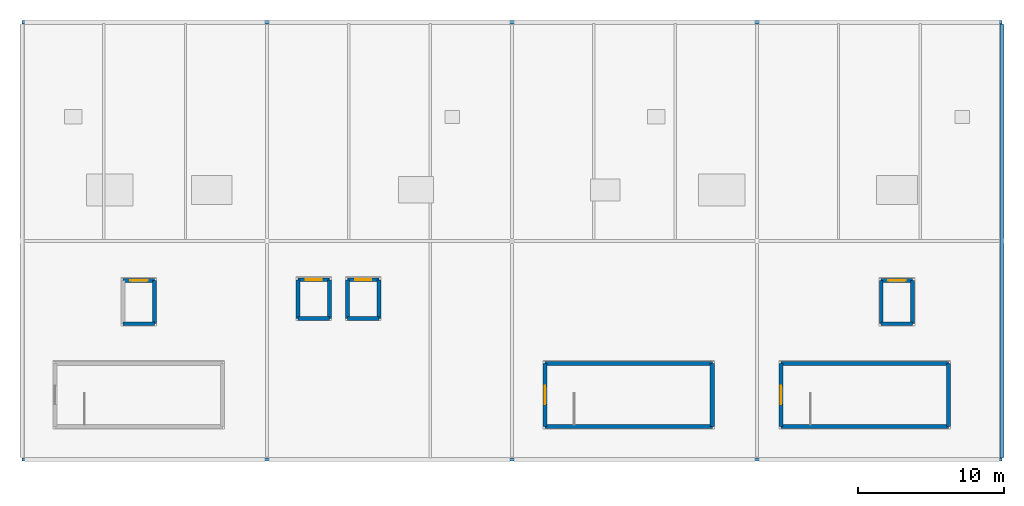
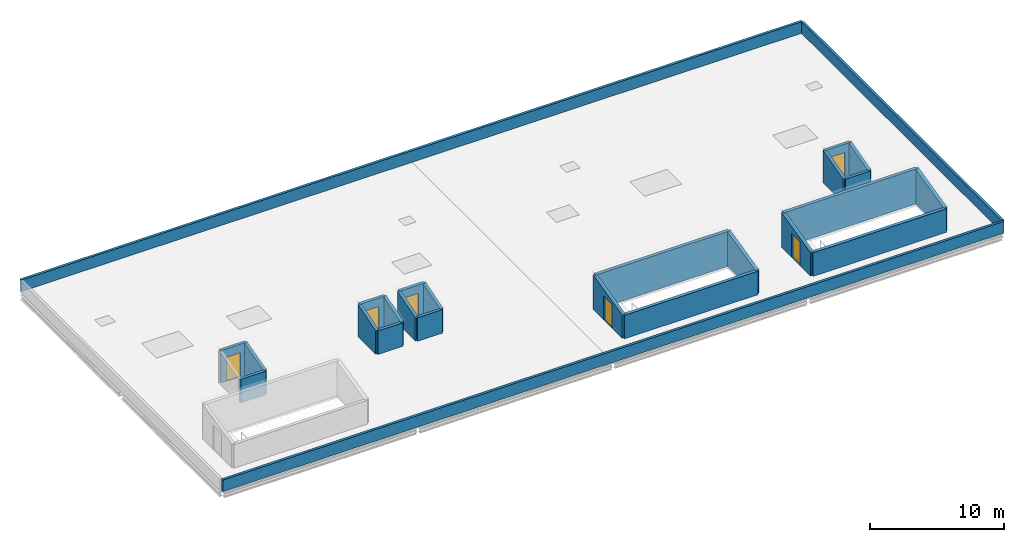
# One storey, part 2 of 3: 26 walls, 6 doors, 6 openings.
"""IFC4 building model written with IfcOpenShell, lengths in metres."""

from ifc_helpers import new_model, si_unit, direction, frame, frame_2d, origin, place, context, subcontext, project, spatial, polyline, rectangle, outline, extrude, material, layer, layer_set, type_object, element, fill, save


model = new_model("IFC4")

# Units and contexts
model_context = context("Model", 3, precision=1e-05, world=origin(), true_north=direction((0.0, 1.0)))
body_context = subcontext(model_context, "Body", "Model", "MODEL_VIEW")
ifc_project = project(units=[si_unit("LENGTHUNIT", "METRE"), si_unit("AREAUNIT", "SQUARE_METRE"), si_unit("VOLUMEUNIT", "CUBIC_METRE"), si_unit("PLANEANGLEUNIT", "RADIAN"), si_unit("MASSUNIT", "GRAM", prefix="KILO")], contexts=[model_context])

# Site, building, storey
site_placement = place(None, origin())
site = spatial("IfcSite", under=ifc_project, at=site_placement, CompositionType="ELEMENT")
building_placement = place(site_placement, origin())
building = spatial("IfcBuilding", under=site, at=building_placement, Name="Kimbaza Rail Terminus", CompositionType="ELEMENT")
storey_placement = place(building_placement, frame((0.0, 0.0, 28.800048828125)))
storey = spatial("IfcBuildingStorey", under=building, at=storey_placement, Name="Roof", CompositionType="ELEMENT", Elevation=28.800048828125)

# Walls
ifc_material_1 = material(Name="Precast concrete C40/50", Category="concrete")
ifc_layer_1 = layer(ifc_material_1, 0.219970703125)
ifc_layer_set_1 = layer_set([ifc_layer_1], Name="Precast concrete C40/50")
wall_type_1 = type_object("IfcWallType", Name="ARC-WL-PAR220", PredefinedType="PARAPET", material=ifc_layer_set_1)
wall_1_placement = place(storey_placement, frame((72.0, 103.0, 0.0), z_axis=(0.0, 0.0, 1.0), x_axis=(1.0, 0.0, 0.0)))
element("IfcWall", 1, at=wall_1_placement, inside=storey, type_object=wall_type_1, Name="Operations Roof Parapet 1", PredefinedType="PARAPET", context=body_context, shape_type="SweptSolid", body=[
    extrude(rectangle(XDim=67.199951171875, YDim=0.219970703125, at=frame_2d((33.60009765625, 0.0))), origin(), (0.0, 0.0, 1.0), 1.050048828125),
])
wall_2_placement = place(storey_placement, frame((139.199951171875, 103.110107421875, 0.0), z_axis=(0.0, 0.0, 1.0), x_axis=(0.0, 1.0, 0.0)))
element("IfcWall", 2, at=wall_2_placement, inside=storey, type_object=wall_type_1, Name="Operations Roof Parapet 2", PredefinedType="PARAPET", context=body_context, shape_type="SweptSolid", body=[
    extrude(rectangle(XDim=29.77978515625, YDim=0.219970703125, at=frame_2d((14.889892578125, 0.0))), origin(), (0.0, 0.0, 1.0), 1.050048828125),
])
wall_3_placement = place(storey_placement, frame((139.199951171875, 133.0, 0.0), z_axis=(0.0, 0.0, 1.0), x_axis=(-1.0, 0.0, 0.0)))
element("IfcWall", 3, at=wall_3_placement, inside=storey, type_object=wall_type_1, Name="Operations Roof Parapet 3", PredefinedType="PARAPET", context=body_context, shape_type="SweptSolid", body=[
    extrude(rectangle(XDim=67.199951171875, YDim=0.219970703125, at=frame_2d((33.60009765625, 0.0))), origin(), (0.0, 0.0, 1.0), 1.050048828125),
])
ifc_material_2 = material(Name="Concrete C40/50", Category="concrete")
ifc_layer_2 = layer(ifc_material_2, 0.2548828125)
ifc_layer_set_2 = layer_set([ifc_layer_2], Name="Concrete C40/50")
wall_type_2 = type_object("IfcWallType", Name="STR-WL-CREX255", PredefinedType="SHEAR", material=ifc_layer_set_2)
wall_4_placement = place(storey_placement, frame((90.919921875, 112.669921875, 0.0), z_axis=(0.0, 0.0, 1.0), x_axis=(1.0, 0.0, 0.0)))
element("IfcWall", 4, at=wall_4_placement, inside=storey, type_object=wall_type_2, Name="Lift Shaft Wall LP-08 Roof-1", PredefinedType="SHEAR", context=body_context, shape_type="SweptSolid", body=[
    extrude(rectangle(XDim=2.16015625, YDim=0.2548828125, at=frame_2d((1.080078125, 0.0))), origin(), (0.0, 0.0, 1.0), 2.140625),
])
wall_5_placement = place(storey_placement, frame((93.080078125, 112.669921875, 0.0), z_axis=(0.0, 0.0, 1.0), x_axis=(0.0, 1.0, 0.0)))
element("IfcWall", 5, at=wall_5_placement, inside=storey, type_object=wall_type_2, Name="Lift Shaft Wall LP-08 Roof-2", PredefinedType="SHEAR", context=body_context, shape_type="SweptSolid", body=[
    extrude(outline(polyline([(0.0, 0.0), (2.66015625, 0.0), (2.659912109375, 2.949462890625), (0.0, 2.140625), (0.0, 0.0)])), frame((0.0, 0.12744140625, 0.0), z_axis=(0.0, -1.0, 0.0), x_axis=(1.0, 0.0, 0.0)), (0.0, 0.0, 1.0), 0.2548828125),
])

# Wall, opening, door
wall_6_placement = place(storey_placement, frame((93.080078125, 115.330078125, 0.0), z_axis=(0.0, 0.0, 1.0), x_axis=(-1.0, 0.0, 0.0)))
wall_6 = element("IfcWall", 6, at=wall_6_placement, inside=storey, type_object=wall_type_2, Name="Lift Shaft Wall LP-08 Roof-3", PredefinedType="SHEAR", context=body_context, shape_type="SweptSolid", body=[
    extrude(rectangle(XDim=2.16015625, YDim=0.2548828125, at=frame_2d((1.080078125, 0.0))), origin(), (0.0, 0.0, 1.0), 2.949462890625),
])
opening_1_placement = place(wall_6_placement, frame((0.530029296875, 0.0, 0.0)))
opening_1 = element("IfcOpeningElement", 7, at=opening_1_placement, cuts=wall_6, Name="Opening LD-01", PredefinedType="OPENING", context=body_context, shape_type="SweptSolid", body=[
    extrude(rectangle(XDim=1.10009765625, YDim=2.199951171875, at=frame_2d((0.550048828125, 1.10009765625))), frame((0.0, 0.137451171875, 0.0), z_axis=(0.0, -1.0, 0.0), x_axis=(1.0, 0.0, 0.0)), (0.0, 0.0, 1.0), 0.27490234375),
])
ifc_material_3 = material(Name="Brushed stainless steel sliding landing door", Category="steel")
door_type_1 = type_object("IfcDoorType", Name="ARC-DR-LD110", OperationType="NOTDEFINED", PredefinedType="DOOR", material=ifc_material_3)
door_1_placement = place(opening_1_placement, origin())
door_1 = element("IfcDoor", 8, at=door_1_placement, inside=storey, type_object=door_type_1, Name="LDR-LP-08-Roof", OperationType="SLIDING_TO_RIGHT", OverallHeight=2.199951171875, OverallWidth=1.10009765625, PredefinedType="DOOR", context=body_context, shape_type="SweptSolid", body=[
    extrude(rectangle(XDim=1.10009765625, YDim=2.199951171875, at=frame_2d((0.550048828125, 1.10009765625))), frame((0.0, 0.02490234375, 0.0), z_axis=(0.0, -1.0, 0.0), x_axis=(1.0, 0.0, 0.0)), (0.0, 0.0, 1.0), 0.050048828125),
])
fill(opening_1, door_1)

# Walls
wall_7_placement = place(storey_placement, frame((90.919921875, 115.330078125, 0.0), z_axis=(0.0, 0.0, 1.0), x_axis=(0.0, -1.0, 0.0)))
element("IfcWall", 9, at=wall_7_placement, inside=storey, type_object=wall_type_2, Name="Lift Shaft Wall LP-08 Roof-4", PredefinedType="SHEAR", context=body_context, shape_type="SweptSolid", body=[
    extrude(outline(polyline([(0.0, 0.0), (2.66015625, 0.0), (2.659912109375, 2.140625), (0.0, 2.949462890625), (0.0, 0.0)])), frame((0.0, 0.12744140625, 0.0), z_axis=(0.0, -1.0, 0.0), x_axis=(1.0, 0.0, 0.0)), (0.0, 0.0, 1.0), 0.2548828125),
])
wall_8_placement = place(storey_placement, frame((94.320068359375, 112.669921875, 0.0), z_axis=(0.0, 0.0, 1.0), x_axis=(1.0, 0.0, 0.0)))
element("IfcWall", 10, at=wall_8_placement, inside=storey, type_object=wall_type_2, Name="Lift Shaft Wall LP-09 Roof-1", PredefinedType="SHEAR", context=body_context, shape_type="SweptSolid", body=[
    extrude(rectangle(XDim=2.159912109375, YDim=0.2548828125, at=frame_2d((1.080078125, 0.0))), origin(), (0.0, 0.0, 1.0), 2.140625),
])
wall_9_placement = place(storey_placement, frame((96.47998046875, 112.669921875, 0.0), z_axis=(0.0, 0.0, 1.0), x_axis=(0.0, 1.0, 0.0)))
element("IfcWall", 11, at=wall_9_placement, inside=storey, type_object=wall_type_2, Name="Lift Shaft Wall LP-09 Roof-2", PredefinedType="SHEAR", context=body_context, shape_type="SweptSolid", body=[
    extrude(outline(polyline([(0.0, 0.0), (2.66015625, 0.0), (2.659912109375, 2.949462890625), (0.0, 2.140625), (0.0, 0.0)])), frame((0.0, 0.12744140625, 0.0), z_axis=(0.0, -1.0, 0.0), x_axis=(1.0, 0.0, 0.0)), (0.0, 0.0, 1.0), 0.2548828125),
])

# Wall, opening, door
wall_10_placement = place(storey_placement, frame((96.47998046875, 115.330078125, 0.0), z_axis=(0.0, 0.0, 1.0), x_axis=(-1.0, 0.0, 0.0)))
wall_10 = element("IfcWall", 12, at=wall_10_placement, inside=storey, type_object=wall_type_2, Name="Lift Shaft Wall LP-09 Roof-3", PredefinedType="SHEAR", context=body_context, shape_type="SweptSolid", body=[
    extrude(rectangle(XDim=2.159912109375, YDim=0.2548828125, at=frame_2d((1.080078125, 0.0))), origin(), (0.0, 0.0, 1.0), 2.949462890625),
])
opening_2_placement = place(wall_10_placement, frame((0.530029296875, 0.0, 0.0)))
opening_2 = element("IfcOpeningElement", 13, at=opening_2_placement, cuts=wall_10, Name="Opening LD-01", PredefinedType="OPENING", context=body_context, shape_type="SweptSolid", body=[
    extrude(rectangle(XDim=1.10009765625, YDim=2.199951171875, at=frame_2d((0.550048828125, 1.10009765625))), frame((0.0, 0.137451171875, 0.0), z_axis=(0.0, -1.0, 0.0), x_axis=(1.0, 0.0, 0.0)), (0.0, 0.0, 1.0), 0.27490234375),
])
door_2_placement = place(opening_2_placement, origin())
door_2 = element("IfcDoor", 14, at=door_2_placement, inside=storey, type_object=door_type_1, Name="LDR-LP-09-Roof", OperationType="SLIDING_TO_RIGHT", OverallHeight=2.199951171875, OverallWidth=1.10009765625, PredefinedType="DOOR", context=body_context, shape_type="SweptSolid", body=[
    extrude(rectangle(XDim=1.10009765625, YDim=2.199951171875, at=frame_2d((0.550048828125, 1.10009765625))), frame((0.0, 0.02490234375, 0.0), z_axis=(0.0, -1.0, 0.0), x_axis=(1.0, 0.0, 0.0)), (0.0, 0.0, 1.0), 0.050048828125),
])
fill(opening_2, door_2)

# Walls
wall_11_placement = place(storey_placement, frame((94.320068359375, 115.330078125, 0.0), z_axis=(0.0, 0.0, 1.0), x_axis=(0.0, -1.0, 0.0)))
element("IfcWall", 15, at=wall_11_placement, inside=storey, type_object=wall_type_2, Name="Lift Shaft Wall LP-09 Roof-4", PredefinedType="SHEAR", context=body_context, shape_type="SweptSolid", body=[
    extrude(outline(polyline([(0.0, 0.0), (2.66015625, 0.0), (2.659912109375, 2.140625), (0.0, 2.949462890625), (0.0, 0.0)])), frame((0.0, 0.12744140625, 0.0), z_axis=(0.0, -1.0, 0.0), x_axis=(1.0, 0.0, 0.0)), (0.0, 0.0, 1.0), 0.2548828125),
])
wall_12_placement = place(storey_placement, frame((78.919921875, 112.320068359375, 0.0), z_axis=(0.0, 0.0, 1.0), x_axis=(1.0, 0.0, 0.0)))
element("IfcWall", 16, at=wall_12_placement, inside=storey, type_object=wall_type_2, Name="Lift Shaft Wall LF-01 Roof-1", PredefinedType="SHEAR", context=body_context, shape_type="SweptSolid", body=[
    extrude(rectangle(XDim=2.16015625, YDim=0.2548828125, at=frame_2d((1.080078125, 0.0))), origin(), (0.0, 0.0, 1.0), 2.141357421875),
])
wall_13_placement = place(storey_placement, frame((81.080078125, 112.320068359375, 0.0), z_axis=(0.0, 0.0, 1.0), x_axis=(0.0, 1.0, 0.0)))
element("IfcWall", 17, at=wall_13_placement, inside=storey, type_object=wall_type_2, Name="Lift Shaft Wall LF-01 Roof-2", PredefinedType="SHEAR", context=body_context, shape_type="SweptSolid", body=[
    extrude(outline(polyline([(0.0, 0.0), (2.9599609375, 0.0), (2.9599609375, 2.958740234375), (0.0, 2.141357421875), (0.0, 0.0)])), frame((0.0, 0.12744140625, 0.0), z_axis=(0.0, -1.0, 0.0), x_axis=(1.0, 0.0, 0.0)), (0.0, 0.0, 1.0), 0.2548828125),
])

# Wall, opening, door
wall_14_placement = place(storey_placement, frame((81.080078125, 115.280029296875, 0.0), z_axis=(0.0, 0.0, 1.0), x_axis=(-1.0, 0.0, 0.0)))
wall_14 = element("IfcWall", 18, at=wall_14_placement, inside=storey, type_object=wall_type_2, Name="Lift Shaft Wall LF-01 Roof-3", PredefinedType="SHEAR", context=body_context, shape_type="SweptSolid", body=[
    extrude(rectangle(XDim=2.16015625, YDim=0.2548828125, at=frame_2d((1.080078125, 0.0))), origin(), (0.0, 0.0, 1.0), 2.958740234375),
])
opening_3_placement = place(wall_14_placement, frame((0.47998046875, 0.0, 0.0)))
opening_3 = element("IfcOpeningElement", 19, at=opening_3_placement, cuts=wall_14, Name="Opening LD-02", PredefinedType="OPENING", context=body_context, shape_type="SweptSolid", body=[
    extrude(rectangle(XDim=1.199951171875, YDim=2.199951171875, at=frame_2d((0.60009765625, 1.10009765625))), frame((0.0, 0.137451171875, 0.0), z_axis=(0.0, -1.0, 0.0), x_axis=(1.0, 0.0, 0.0)), (0.0, 0.0, 1.0), 0.27490234375),
])
ifc_material_4 = material(Name="Firefighting stainless steel landing door", Category="steel")
door_type_2 = type_object("IfcDoorType", Name="ARC-DR-LD120", OperationType="NOTDEFINED", PredefinedType="DOOR", material=ifc_material_4)
door_3_placement = place(opening_3_placement, origin())
door_3 = element("IfcDoor", 20, at=door_3_placement, inside=storey, type_object=door_type_2, Name="LDR-LF-01-Roof", OperationType="SLIDING_TO_RIGHT", OverallHeight=2.199951171875, OverallWidth=1.199951171875, PredefinedType="DOOR", context=body_context, shape_type="SweptSolid", body=[
    extrude(rectangle(XDim=1.199951171875, YDim=2.199951171875, at=frame_2d((0.60009765625, 1.10009765625))), frame((0.0, 0.02490234375, 0.0), z_axis=(0.0, -1.0, 0.0), x_axis=(1.0, 0.0, 0.0)), (0.0, 0.0, 1.0), 0.050048828125),
])
fill(opening_3, door_3)

# Walls
wall_15_placement = place(storey_placement, frame((130.919921875, 112.320068359375, 0.0), z_axis=(0.0, 0.0, 1.0), x_axis=(1.0, 0.0, 0.0)))
element("IfcWall", 21, at=wall_15_placement, inside=storey, type_object=wall_type_2, Name="Lift Shaft Wall LF-02 Roof-1", PredefinedType="SHEAR", context=body_context, shape_type="SweptSolid", body=[
    extrude(rectangle(XDim=2.16015625, YDim=0.2548828125, at=frame_2d((1.080078125, 0.0))), origin(), (0.0, 0.0, 1.0), 2.141357421875),
])
wall_16_placement = place(storey_placement, frame((133.080078125, 112.320068359375, 0.0), z_axis=(0.0, 0.0, 1.0), x_axis=(0.0, 1.0, 0.0)))
element("IfcWall", 22, at=wall_16_placement, inside=storey, type_object=wall_type_2, Name="Lift Shaft Wall LF-02 Roof-2", PredefinedType="SHEAR", context=body_context, shape_type="SweptSolid", body=[
    extrude(outline(polyline([(0.0, 0.0), (2.9599609375, 0.0), (2.9599609375, 2.958740234375), (0.0, 2.141357421875), (0.0, 0.0)])), frame((0.0, 0.12744140625, 0.0), z_axis=(0.0, -1.0, 0.0), x_axis=(1.0, 0.0, 0.0)), (0.0, 0.0, 1.0), 0.2548828125),
])

# Wall, opening, door
wall_17_placement = place(storey_placement, frame((133.080078125, 115.280029296875, 0.0), z_axis=(0.0, 0.0, 1.0), x_axis=(-1.0, 0.0, 0.0)))
wall_17 = element("IfcWall", 23, at=wall_17_placement, inside=storey, type_object=wall_type_2, Name="Lift Shaft Wall LF-02 Roof-3", PredefinedType="SHEAR", context=body_context, shape_type="SweptSolid", body=[
    extrude(rectangle(XDim=2.16015625, YDim=0.2548828125, at=frame_2d((1.080078125, 0.0))), origin(), (0.0, 0.0, 1.0), 2.958740234375),
])
opening_4_placement = place(wall_17_placement, frame((0.47998046875, 0.0, 0.0)))
opening_4 = element("IfcOpeningElement", 24, at=opening_4_placement, cuts=wall_17, Name="Opening LD-02", PredefinedType="OPENING", context=body_context, shape_type="SweptSolid", body=[
    extrude(rectangle(XDim=1.199951171875, YDim=2.199951171875, at=frame_2d((0.60009765625, 1.10009765625))), frame((0.0, 0.137451171875, 0.0), z_axis=(0.0, -1.0, 0.0), x_axis=(1.0, 0.0, 0.0)), (0.0, 0.0, 1.0), 0.27490234375),
])
door_4_placement = place(opening_4_placement, origin())
door_4 = element("IfcDoor", 25, at=door_4_placement, inside=storey, type_object=door_type_2, Name="LDR-LF-02-Roof", OperationType="SLIDING_TO_RIGHT", OverallHeight=2.199951171875, OverallWidth=1.199951171875, PredefinedType="DOOR", context=body_context, shape_type="SweptSolid", body=[
    extrude(rectangle(XDim=1.199951171875, YDim=2.199951171875, at=frame_2d((0.60009765625, 1.10009765625))), frame((0.0, 0.02490234375, 0.0), z_axis=(0.0, -1.0, 0.0), x_axis=(1.0, 0.0, 0.0)), (0.0, 0.0, 1.0), 0.050048828125),
])
fill(opening_4, door_4)

# Walls
wall_18_placement = place(storey_placement, frame((130.919921875, 115.280029296875, 0.0), z_axis=(0.0, 0.0, 1.0), x_axis=(0.0, -1.0, 0.0)))
element("IfcWall", 26, at=wall_18_placement, inside=storey, type_object=wall_type_2, Name="Lift Shaft Wall LF-02 Roof-4", PredefinedType="SHEAR", context=body_context, shape_type="SweptSolid", body=[
    extrude(outline(polyline([(0.0, 0.0), (2.9599609375, 0.0), (2.9599609375, 2.141357421875), (0.0, 2.958740234375), (0.0, 0.0)])), frame((0.0, 0.12744140625, 0.0), z_axis=(0.0, -1.0, 0.0), x_axis=(1.0, 0.0, 0.0)), (0.0, 0.0, 1.0), 0.2548828125),
])
ifc_material_5 = material(Name="Concrete C40/50", Category="concrete")
ifc_layer_3 = layer(ifc_material_5, 0.284912109375)
ifc_layer_set_3 = layer_set([ifc_layer_3], Name="Concrete C40/50")
wall_type_3 = type_object("IfcWallType", Name="STR-WL-CREX285", PredefinedType="SHEAR", material=ifc_layer_set_3)
wall_19_placement = place(storey_placement, frame((107.860107421875, 105.260009765625, 0.0), z_axis=(0.0, 0.0, 1.0), x_axis=(1.0, 0.0, 0.0)))
element("IfcWall", 27, at=wall_19_placement, inside=storey, type_object=wall_type_3, Name="Operations Central Exit Stair Shaft Wall Roof-1", PredefinedType="SHEAR", context=body_context, shape_type="SweptSolid", body=[
    extrude(rectangle(XDim=11.47998046875, YDim=0.284912109375, at=frame_2d((5.739990234375, 0.0))), origin(), (0.0, 0.0, 1.0), 2.13916015625),
])
wall_20_placement = place(storey_placement, frame((119.340087890625, 105.260009765625, 0.0), z_axis=(0.0, 0.0, 1.0), x_axis=(0.0, 1.0, 0.0)))
element("IfcWall", 28, at=wall_20_placement, inside=storey, type_object=wall_type_3, Name="Operations Central Exit Stair Shaft Wall Roof-2", PredefinedType="SHEAR", context=body_context, shape_type="SweptSolid", body=[
    extrude(outline(polyline([(0.0, 0.0), (4.320068359375, 0.0), (4.320068359375, 3.16748046875), (0.0, 2.13916015625), (0.0, 0.0)])), frame((0.0, 0.142578125, 0.0), z_axis=(0.0, -1.0, 0.0), x_axis=(1.0, 0.0, 0.0)), (0.0, 0.0, 1.0), 0.284912109375),
])
wall_21_placement = place(storey_placement, frame((119.340087890625, 109.580078125, 0.0), z_axis=(0.0, 0.0, 1.0), x_axis=(-1.0, 0.0, 0.0)))
element("IfcWall", 29, at=wall_21_placement, inside=storey, type_object=wall_type_3, Name="Operations Central Exit Stair Shaft Wall Roof-3", PredefinedType="SHEAR", context=body_context, shape_type="SweptSolid", body=[
    extrude(rectangle(XDim=11.47998046875, YDim=0.284912109375, at=frame_2d((5.739990234375, 0.0))), origin(), (0.0, 0.0, 1.0), 3.16748046875),
])

# Wall, opening, door
wall_22_placement = place(storey_placement, frame((107.860107421875, 109.580078125, 0.0), z_axis=(0.0, 0.0, 1.0), x_axis=(0.0, -1.0, 0.0)))
wall_22 = element("IfcWall", 30, at=wall_22_placement, inside=storey, type_object=wall_type_3, Name="Operations Central Exit Stair Shaft Wall Roof-4", PredefinedType="SHEAR", context=body_context, shape_type="SweptSolid", body=[
    extrude(outline(polyline([(0.0, 0.0), (4.320068359375, 0.0), (4.320068359375, 2.13916015625), (0.0, 3.16748046875), (0.0, 0.0)])), frame((0.0, 0.142578125, 0.0), z_axis=(0.0, -1.0, 0.0), x_axis=(1.0, 0.0, 0.0)), (0.0, 0.0, 1.0), 0.284912109375),
])
opening_5_placement = place(wall_22_placement, frame((1.530029296875, 0.0, 0.0)))
opening_5 = element("IfcOpeningElement", 31, at=opening_5_placement, cuts=wall_22, Name="Opening FD-E2", PredefinedType="OPENING", context=body_context, shape_type="SweptSolid", body=[
    extrude(rectangle(XDim=1.260009765625, YDim=2.199951171875, at=frame_2d((0.6298828125, 1.10009765625))), frame((0.0, 0.15234375, 0.0), z_axis=(0.0, -1.0, 0.0), x_axis=(1.0, 0.0, 0.0)), (0.0, 0.0, 1.0), 0.304931640625),
])
ifc_material_6 = material(Name="Weatherproof galvanised steel headhouse door", Category="steel")
door_type_3 = type_object("IfcDoorType", Name="ARC-DR-FDE125", OperationType="NOTDEFINED", PredefinedType="DOOR", material=ifc_material_6)
door_5_placement = place(opening_5_placement, origin())
door_5 = element("IfcDoor", 32, at=door_5_placement, inside=storey, type_object=door_type_3, Name="SDR-ST-M1-Roof", OperationType="SINGLE_SWING_RIGHT", OverallHeight=2.199951171875, OverallWidth=1.260009765625, PredefinedType="DOOR", context=body_context, shape_type="SweptSolid", body=[
    extrude(rectangle(XDim=1.260009765625, YDim=2.199951171875, at=frame_2d((0.6298828125, 1.10009765625))), frame((0.0, 0.02490234375, 0.0), z_axis=(0.0, -1.0, 0.0), x_axis=(1.0, 0.0, 0.0)), (0.0, 0.0, 1.0), 0.050048828125),
])
fill(opening_5, door_5)

# Walls
wall_23_placement = place(storey_placement, frame((124.06005859375, 105.260009765625, 0.0), z_axis=(0.0, 0.0, 1.0), x_axis=(1.0, 0.0, 0.0)))
element("IfcWall", 33, at=wall_23_placement, inside=storey, type_object=wall_type_3, Name="Operations East Exit Stair Shaft Wall Roof-1", PredefinedType="SHEAR", context=body_context, shape_type="SweptSolid", body=[
    extrude(rectangle(XDim=11.47998046875, YDim=0.284912109375, at=frame_2d((5.739990234375, 0.0))), origin(), (0.0, 0.0, 1.0), 2.13916015625),
])
wall_24_placement = place(storey_placement, frame((135.5400390625, 105.260009765625, 0.0), z_axis=(0.0, 0.0, 1.0), x_axis=(0.0, 1.0, 0.0)))
element("IfcWall", 34, at=wall_24_placement, inside=storey, type_object=wall_type_3, Name="Operations East Exit Stair Shaft Wall Roof-2", PredefinedType="SHEAR", context=body_context, shape_type="SweptSolid", body=[
    extrude(outline(polyline([(0.0, 0.0), (4.320068359375, 0.0), (4.320068359375, 3.16748046875), (0.0, 2.13916015625), (0.0, 0.0)])), frame((0.0, 0.142578125, 0.0), z_axis=(0.0, -1.0, 0.0), x_axis=(1.0, 0.0, 0.0)), (0.0, 0.0, 1.0), 0.284912109375),
])
wall_25_placement = place(storey_placement, frame((135.5400390625, 109.580078125, 0.0), z_axis=(0.0, 0.0, 1.0), x_axis=(-1.0, 0.0, 0.0)))
element("IfcWall", 35, at=wall_25_placement, inside=storey, type_object=wall_type_3, Name="Operations East Exit Stair Shaft Wall Roof-3", PredefinedType="SHEAR", context=body_context, shape_type="SweptSolid", body=[
    extrude(rectangle(XDim=11.47998046875, YDim=0.284912109375, at=frame_2d((5.739990234375, 0.0))), origin(), (0.0, 0.0, 1.0), 3.16748046875),
])

# Wall, opening, door
wall_26_placement = place(storey_placement, frame((124.06005859375, 109.580078125, 0.0), z_axis=(0.0, 0.0, 1.0), x_axis=(0.0, -1.0, 0.0)))
wall_26 = element("IfcWall", 36, at=wall_26_placement, inside=storey, type_object=wall_type_3, Name="Operations East Exit Stair Shaft Wall Roof-4", PredefinedType="SHEAR", context=body_context, shape_type="SweptSolid", body=[
    extrude(outline(polyline([(0.0, 0.0), (4.320068359375, 0.0), (4.320068359375, 2.13916015625), (0.0, 3.16748046875), (0.0, 0.0)])), frame((0.0, 0.142578125, 0.0), z_axis=(0.0, -1.0, 0.0), x_axis=(1.0, 0.0, 0.0)), (0.0, 0.0, 1.0), 0.284912109375),
])
opening_6_placement = place(wall_26_placement, frame((1.530029296875, 0.0, 0.0)))
opening_6 = element("IfcOpeningElement", 37, at=opening_6_placement, cuts=wall_26, Name="Opening FD-E2", PredefinedType="OPENING", context=body_context, shape_type="SweptSolid", body=[
    extrude(rectangle(XDim=1.260009765625, YDim=2.199951171875, at=frame_2d((0.6298828125, 1.10009765625))), frame((0.0, 0.15234375, 0.0), z_axis=(0.0, -1.0, 0.0), x_axis=(1.0, 0.0, 0.0)), (0.0, 0.0, 1.0), 0.304931640625),
])
door_6_placement = place(opening_6_placement, origin())
door_6 = element("IfcDoor", 38, at=door_6_placement, inside=storey, type_object=door_type_3, Name="SDR-ST-E1-Roof", OperationType="SINGLE_SWING_RIGHT", OverallHeight=2.199951171875, OverallWidth=1.260009765625, PredefinedType="DOOR", context=body_context, shape_type="SweptSolid", body=[
    extrude(rectangle(XDim=1.260009765625, YDim=2.199951171875, at=frame_2d((0.6298828125, 1.10009765625))), frame((0.0, 0.02490234375, 0.0), z_axis=(0.0, -1.0, 0.0), x_axis=(1.0, 0.0, 0.0)), (0.0, 0.0, 1.0), 0.050048828125),
])
fill(opening_6, door_6)

save(model, "model.ifc")
